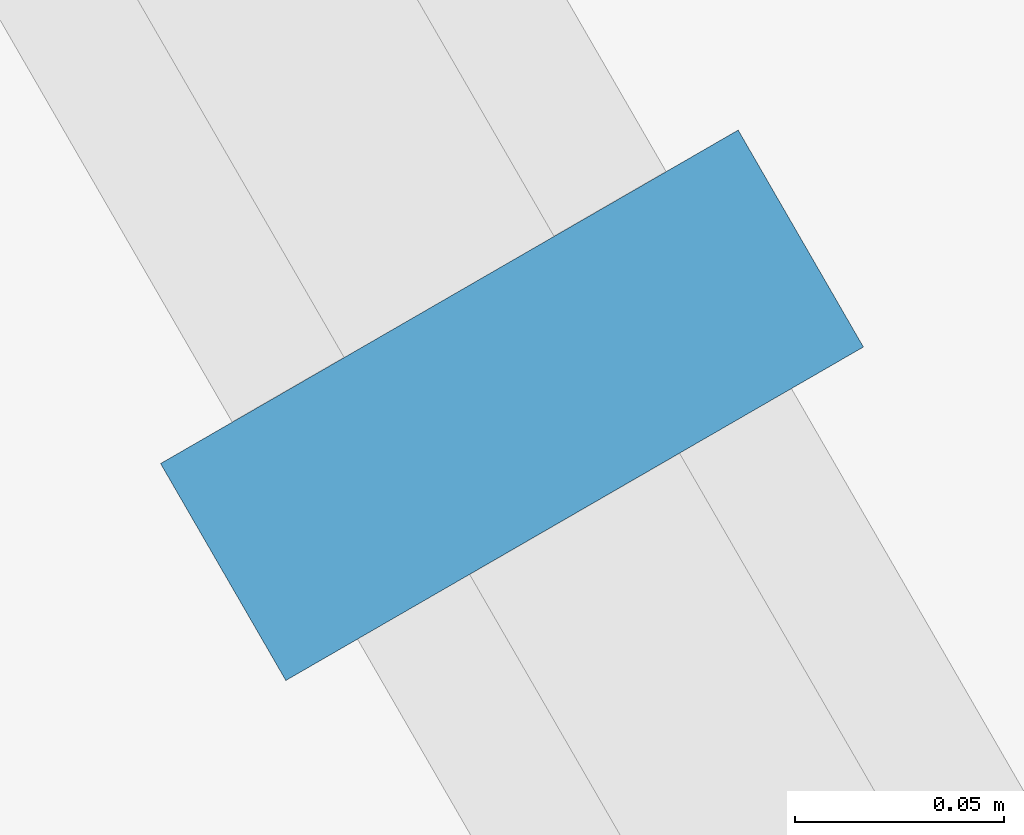
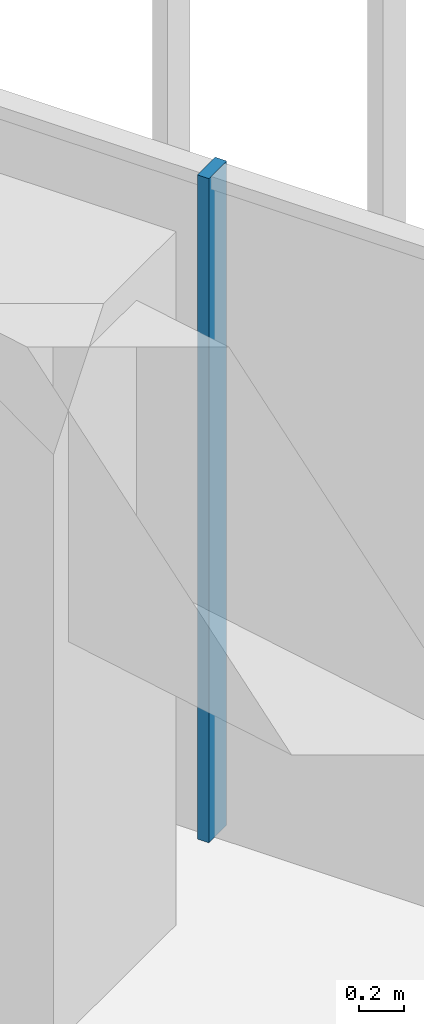
# One storey, part 113 of 127: 1 member, 1 element without a shape of its own.
"""IFC4 building model written with IfcOpenShell, lengths in metres."""

from ifc_helpers import new_model, si_unit, direction, frame, origin, origin_2d, place, context, subcontext, project, spatial, rectangle, extrude, material, material_profile, profile_set, type_object, element, aggregate, save


model = new_model("IFC4")

# Units and contexts
model_context = context("Model", 3, precision=1e-05, world=origin(), true_north=direction((0.0, 1.0)))
body_context = subcontext(model_context, "Body", "Model", "MODEL_VIEW")
ifc_project = project(units=[si_unit("LENGTHUNIT", "METRE"), si_unit("AREAUNIT", "SQUARE_METRE"), si_unit("VOLUMEUNIT", "CUBIC_METRE"), si_unit("PLANEANGLEUNIT", "RADIAN"), si_unit("MASSUNIT", "GRAM", prefix="KILO")], contexts=[model_context])

# Site, building, storey
site_placement = place(None, origin())
site = spatial("IfcSite", under=ifc_project, at=site_placement, CompositionType="ELEMENT")
building_placement = place(site_placement, origin())
building = spatial("IfcBuilding", under=site, at=building_placement, Name="Sandreach Pilgrim Tower", CompositionType="ELEMENT")
storey_placement = place(building_placement, frame((0.0, 0.0, 257.0)))
storey = spatial("IfcBuildingStorey", under=building, at=storey_placement, Name="L64", CompositionType="ELEMENT", Elevation=257.0)

# Curtain wall, member
ifc_material_1 = material(Name="Aluminium framed curtain wall", Category="aluminium")
curtain_wall_type = type_object("IfcCurtainWallType", Name="Suite tower curtain wall", PredefinedType="NOTDEFINED", material=ifc_material_1)
curtain_wall_placement = place(storey_placement, origin())
curtain_wall = element("IfcCurtainWall", 1, at=curtain_wall_placement, inside=storey, type_object=curtain_wall_type, Name="CW-4 L64 NE", PredefinedType="NOTDEFINED")
ifc_material_2 = material(Name="Aluminium extrusion", Category="aluminium")
ifc_material_profile = material_profile(ifc_material_2, rectangle(XDim=0.06005859375, YDim=0.159912109375, at=origin_2d()), Name="CW-4M 60X160")
ifc_profile_set = profile_set([ifc_material_profile], Name="Aluminium extrusion")
member_type = type_object("IfcMemberType", Name="CW-4 mullion", PredefinedType="MULLION", material=ifc_profile_set)
member_placement = place(storey_placement, frame((23.423583984375, 9.145263671875, 0.0), z_axis=(0.0, 0.0, 1.0), x_axis=(0.5, -0.866025403784, 0.0)))
member = element("IfcMember", 2, at=member_placement, type_object=member_type, Name="CW-4 mullion 4", PredefinedType="MULLION", context=body_context, shape_type="SweptSolid", body=[
    extrude(rectangle(XDim=0.06005859375, YDim=0.159912109375, at=origin_2d()), origin(), (0.0, 0.0, 1.0), 3.639892578125),
])
aggregate(curtain_wall, [member])

save(model, "model.ifc")
